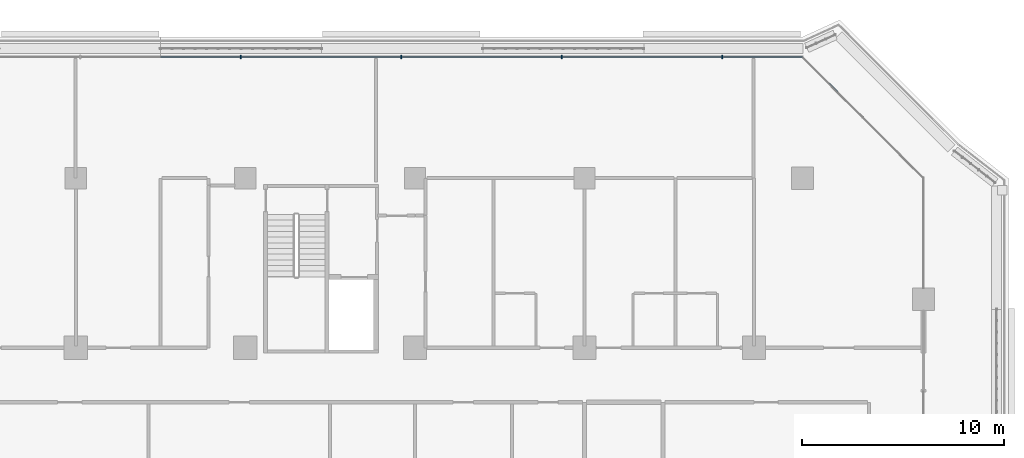
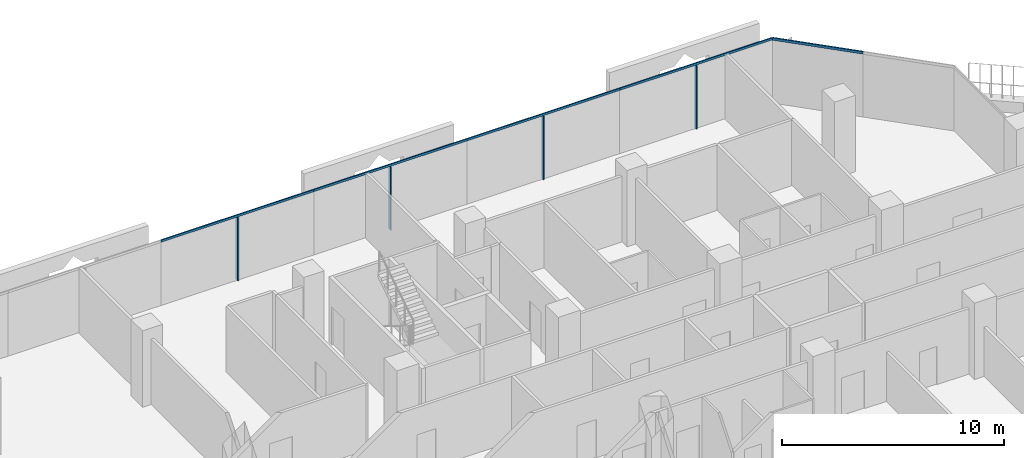
# One storey, part 9 of 25: 9 members, 2 elements without a shape of their own.
"""IFC4 building model written with IfcOpenShell, lengths in metres."""

from ifc_helpers import new_model, si_unit, direction, frame, origin, origin_2d, place, context, subcontext, project, spatial, rectangle, extrude, material, layer, layer_set, material_profile, profile_set, type_object, element, aggregate, save


model = new_model("IFC4")

# Units and contexts
model_context = context("Model", 3, precision=1e-05, world=origin(), true_north=direction((0.0, 1.0)))
body_context = subcontext(model_context, "Body", "Model", "MODEL_VIEW")
ifc_project = project(units=[si_unit("LENGTHUNIT", "METRE"), si_unit("AREAUNIT", "SQUARE_METRE"), si_unit("VOLUMEUNIT", "CUBIC_METRE"), si_unit("PLANEANGLEUNIT", "RADIAN"), si_unit("MASSUNIT", "GRAM", prefix="KILO")], contexts=[model_context])

# Site, building, storey
site_placement = place(None, origin())
site = spatial("IfcSite", under=ifc_project, at=site_placement, CompositionType="ELEMENT")
building_placement = place(site_placement, origin())
building = spatial("IfcBuilding", under=site, at=building_placement, Name="Kawkab Arch Medical Tower", CompositionType="ELEMENT")
storey_placement = place(building_placement, frame((0.0, 0.0, 124.0)))
storey = spatial("IfcBuildingStorey", under=building, at=storey_placement, Name="L28", CompositionType="ELEMENT", Elevation=124.0)

# Curtain wall, members
ifc_material_1 = material(Name="Bronze anodised aluminium curtain wall frame", Category="aluminium")
ifc_layer_1 = layer(ifc_material_1, 0.159912109375)
ifc_layer_set_1 = layer_set([ifc_layer_1], Name="Bronze anodised aluminium curtain wall frame")
curtain_wall_type_1 = type_object("IfcCurtainWallType", Name="CW1 ward curtain wall", PredefinedType="NOTDEFINED", material=ifc_layer_set_1)
placement = place(storey_placement, origin())
curtain_wall_1 = element("IfcCurtainWall", 1, at=placement, inside=storey, type_object=curtain_wall_type_1, Name="CW1 Ward curtain wall R11", PredefinedType="NOTDEFINED")
ifc_material_2 = material(Name="Bronze anodised aluminium curtain wall frame", Category="aluminium")
ifc_material_profile_1 = material_profile(ifc_material_2, rectangle(XDim=0.179931640625, YDim=0.06005859375, at=origin_2d()), Name="AL 60x180")
ifc_profile_set_1 = profile_set([ifc_material_profile_1], Name="Bronze anodised aluminium curtain wall frame")
member_type_1 = type_object("IfcMemberType", Name="CW1 mullion 60 x 180", PredefinedType="MULLION", material=ifc_profile_set_1)
member_1_placement = place(storey_placement, frame((65.625, 6.0, 0.0), z_axis=(0.0, 0.0, 1.0), x_axis=(0.0, -1.0, 0.0)))
member_1 = element("IfcMember", 2, at=member_1_placement, type_object=member_type_1, Name="CW1 mullion 1.1", PredefinedType="MULLION", context=body_context, shape_type="SweptSolid", body=[
    extrude(rectangle(XDim=0.179931640625, YDim=0.06005859375, at=origin_2d()), origin(), (0.0, 0.0, 1.0), 3.47998046875),
])
member_2_placement = place(storey_placement, frame((57.675048828125, 6.0, 0.0), z_axis=(0.0, 0.0, 1.0), x_axis=(0.0, -1.0, 0.0)))
member_2 = element("IfcMember", 3, at=member_2_placement, type_object=member_type_1, Name="CW1 mullion 2.1", PredefinedType="MULLION", context=body_context, shape_type="SweptSolid", body=[
    extrude(rectangle(XDim=0.179931640625, YDim=0.06005859375, at=origin_2d()), origin(), (0.0, 0.0, 1.0), 3.47998046875),
])
member_3_placement = place(storey_placement, frame((49.72509765625, 6.0, 0.0), z_axis=(0.0, 0.0, 1.0), x_axis=(0.0, -1.0, 0.0)))
member_3 = element("IfcMember", 4, at=member_3_placement, type_object=member_type_1, Name="CW1 mullion 3.1", PredefinedType="MULLION", context=body_context, shape_type="SweptSolid", body=[
    extrude(rectangle(XDim=0.179931640625, YDim=0.06005859375, at=origin_2d()), origin(), (0.0, 0.0, 1.0), 3.47998046875),
])
member_4_placement = place(storey_placement, frame((41.77490234375, 6.0, 0.0), z_axis=(0.0, 0.0, 1.0), x_axis=(0.0, -1.0, 0.0)))
member_4 = element("IfcMember", 5, at=member_4_placement, type_object=member_type_1, Name="CW1 mullion 4.1", PredefinedType="MULLION", context=body_context, shape_type="SweptSolid", body=[
    extrude(rectangle(XDim=0.179931640625, YDim=0.06005859375, at=origin_2d()), origin(), (0.0, 0.0, 1.0), 3.47998046875),
])
ifc_material_3 = material(Name="Bronze anodised aluminium curtain wall frame", Category="aluminium")
ifc_material_profile_2 = material_profile(ifc_material_3, rectangle(XDim=0.06005859375, YDim=0.1201171875, at=origin_2d()), Name="AL 60x120")
ifc_profile_set_2 = profile_set([ifc_material_profile_2], Name="Bronze anodised aluminium curtain wall frame")
member_type_2 = type_object("IfcMemberType", Name="CW1 transom 120 x 60", PredefinedType="USERDEFINED", material=ifc_profile_set_2)
member_5_placement = place(storey_placement, frame((69.60009765625, 6.0, 3.5400390625), z_axis=(-1.0, 0.0, 0.0), x_axis=(0.0, -1.0, 0.0)))
member_5 = element("IfcMember", 6, at=member_5_placement, type_object=member_type_2, Name="CW1 transom 1", ObjectType="TRANSOM", PredefinedType="USERDEFINED", context=body_context, shape_type="SweptSolid", body=[
    extrude(rectangle(XDim=0.06005859375, YDim=0.1201171875, at=origin_2d()), origin(), (0.0, 0.0, 1.0), 7.9501953125),
])
member_6_placement = place(storey_placement, frame((61.64990234375, 6.0, 3.5400390625), z_axis=(-1.0, 0.0, 0.0), x_axis=(0.0, -1.0, 0.0)))
member_6 = element("IfcMember", 7, at=member_6_placement, type_object=member_type_2, Name="CW1 transom 2", ObjectType="TRANSOM", PredefinedType="USERDEFINED", context=body_context, shape_type="SweptSolid", body=[
    extrude(rectangle(XDim=0.06005859375, YDim=0.1201171875, at=origin_2d()), origin(), (0.0, 0.0, 1.0), 7.949951171875),
])
member_7_placement = place(storey_placement, frame((53.699951171875, 6.0, 3.5400390625), z_axis=(-1.0, 0.0, 0.0), x_axis=(0.0, -1.0, 0.0)))
member_7 = element("IfcMember", 8, at=member_7_placement, type_object=member_type_2, Name="CW1 transom 3", ObjectType="TRANSOM", PredefinedType="USERDEFINED", context=body_context, shape_type="SweptSolid", body=[
    extrude(rectangle(XDim=0.06005859375, YDim=0.1201171875, at=origin_2d()), origin(), (0.0, 0.0, 1.0), 7.949951171875),
])
member_8_placement = place(storey_placement, frame((45.75, 6.0, 3.5400390625), z_axis=(-1.0, 0.0, 0.0), x_axis=(0.0, -1.0, 0.0)))
member_8 = element("IfcMember", 9, at=member_8_placement, type_object=member_type_2, Name="CW1 transom 4", ObjectType="TRANSOM", PredefinedType="USERDEFINED", context=body_context, shape_type="SweptSolid", body=[
    extrude(rectangle(XDim=0.06005859375, YDim=0.1201171875, at=origin_2d()), origin(), (0.0, 0.0, 1.0), 7.949951171875),
])
aggregate(curtain_wall_1, [member_5, member_1, member_6, member_2, member_7, member_3, member_8, member_4])

# Curtain wall, member
ifc_material_4 = material(Name="Bronze anodised aluminium curtain wall frame", Category="aluminium")
ifc_layer_2 = layer(ifc_material_4, 0.159912109375)
ifc_layer_set_2 = layer_set([ifc_layer_2], Name="Bronze anodised aluminium curtain wall frame")
curtain_wall_type_2 = type_object("IfcCurtainWallType", Name="CW2 chamfer curtain wall", PredefinedType="NOTDEFINED", material=ifc_layer_set_2)
curtain_wall_2 = element("IfcCurtainWall", 10, at=placement, inside=storey, type_object=curtain_wall_type_2, Name="CW2 Chamfer curtain wall R10", PredefinedType="NOTDEFINED")
ifc_material_5 = material(Name="Bronze anodised aluminium curtain wall frame", Category="aluminium")
ifc_material_profile_3 = material_profile(ifc_material_5, rectangle(XDim=0.06005859375, YDim=0.139892578125, at=origin_2d()), Name="AL 60x140")
ifc_profile_set_3 = profile_set([ifc_material_profile_3], Name="Bronze anodised aluminium curtain wall frame")
member_type_3 = type_object("IfcMemberType", Name="CW2 transom 140 x 60", PredefinedType="USERDEFINED", material=ifc_profile_set_3)
member_9_placement = place(storey_placement, frame((72.60009765625, 3.0, 3.530029296875), z_axis=(-0.707106781187, 0.707106781187, 0.0), x_axis=(-0.707106781187, -0.707106781187, 0.0)))
member_9 = element("IfcMember", 11, at=member_9_placement, type_object=member_type_3, Name="CW2 transom 2", ObjectType="TRANSOM", PredefinedType="USERDEFINED", context=body_context, shape_type="SweptSolid", body=[
    extrude(rectangle(XDim=0.06005859375, YDim=0.139892578125, at=origin_2d()), origin(), (0.0, 0.0, 1.0), 4.24267578125),
])
aggregate(curtain_wall_2, [member_9])

save(model, "model.ifc")
